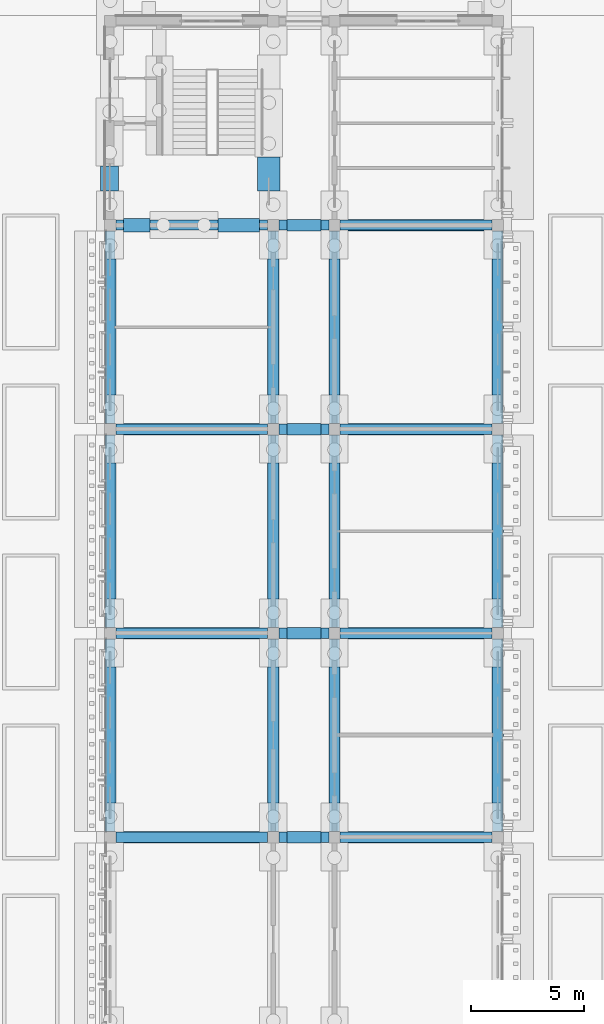
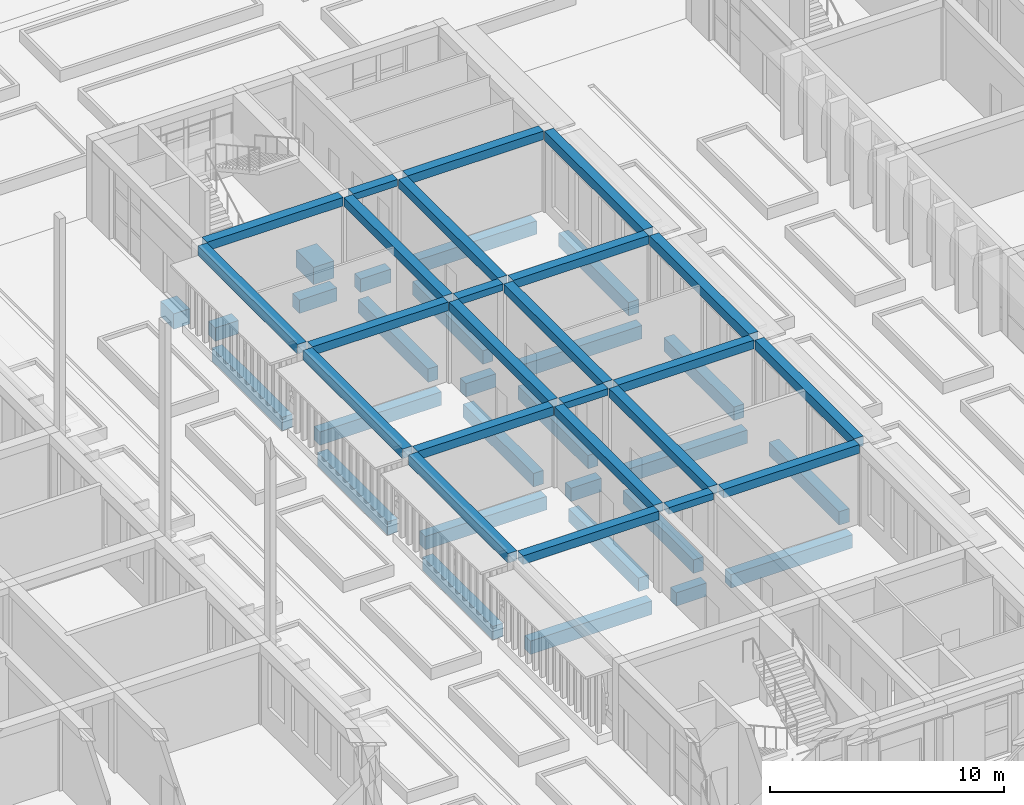
# One storey, part 35 of 161: 51 beams.
"""IFC4 building model written with IfcOpenShell, lengths in metres."""

from ifc_helpers import new_model, si_unit, direction, frame, origin, origin_2d, place, context, subcontext, project, spatial, rectangle, extrude, material, material_profile, profile_set, type_object, element, save


model = new_model("IFC4")

# Units and contexts
model_context = context("Model", 3, precision=1e-05, world=origin(), true_north=direction((0.0, 1.0)))
body_context = subcontext(model_context, "Body", "Model", "MODEL_VIEW")
ifc_project = project(units=[si_unit("LENGTHUNIT", "METRE"), si_unit("AREAUNIT", "SQUARE_METRE"), si_unit("VOLUMEUNIT", "CUBIC_METRE"), si_unit("PLANEANGLEUNIT", "RADIAN"), si_unit("MASSUNIT", "GRAM", prefix="KILO")], contexts=[model_context])

# Site, building, storey
site_placement = place(None, origin())
site = spatial("IfcSite", under=ifc_project, at=site_placement, CompositionType="ELEMENT")
building_placement = place(site_placement, origin())
building = spatial("IfcBuilding", under=site, at=building_placement, Name="Elbe Cascade School", CompositionType="ELEMENT")
storey_placement = place(building_placement, origin())
storey = spatial("IfcBuildingStorey", under=building, at=storey_placement, Name="L00", CompositionType="ELEMENT", Elevation=0.0)

# Beams
ifc_material_1 = material(Name="Concrete C30/37", Category="concrete")
ifc_material_profile_1 = material_profile(ifc_material_1, rectangle(XDim=1.0, YDim=0.89990234375, at=origin_2d()), Name="RC 1000x900")
ifc_profile_set_1 = profile_set([ifc_material_profile_1], Name="Concrete C30/37")
beam_type_1 = type_object("IfcBeamType", Name="Found ground beam RC 1000x900", PredefinedType="BEAM", material=ifc_profile_set_1)
beam_1_placement = place(storey_placement, frame((135.199951171875, 52.5, -0.75), z_axis=(0.0, 1.0, 0.0), x_axis=(-1.0, 0.0, 0.0)))
element("IfcBeam", 1, at=beam_1_placement, inside=storey, type_object=beam_type_1, Name="Ground beam 044", PredefinedType="BEAM", context=body_context, shape_type="SweptSolid", body=[
    extrude(rectangle(XDim=1.0, YDim=0.89990234375, at=origin_2d()), origin(), (0.0, 0.0, 1.0), 1.5),
])
ifc_material_2 = material(Name="Concrete C30/37", Category="concrete")
ifc_material_profile_2 = material_profile(ifc_material_2, rectangle(XDim=0.5, YDim=0.699951171875, at=origin_2d()), Name="RC 500x700")
ifc_profile_set_2 = profile_set([ifc_material_profile_2], Name="Concrete C30/37")
beam_type_2 = type_object("IfcBeamType", Name="Found ground beam RC 500x700", PredefinedType="BEAM", material=ifc_profile_set_2)
beam_2_placement = place(storey_placement, frame((128.800048828125, 24.0, -0.64990234375), z_axis=(1.0, 0.0, 0.0), x_axis=(0.0, 1.0, 0.0)))
element("IfcBeam", 2, at=beam_2_placement, inside=storey, type_object=beam_type_2, Name="Ground beam 255", PredefinedType="BEAM", context=body_context, shape_type="SweptSolid", body=[
    extrude(rectangle(XDim=0.5, YDim=0.699951171875, at=origin_2d()), origin(), (0.0, 0.0, 1.0), 6.0),
])
beam_3_placement = place(storey_placement, frame((136.0, 24.0, -0.64990234375), z_axis=(1.0, 0.0, 0.0), x_axis=(0.0, 1.0, 0.0)))
element("IfcBeam", 3, at=beam_3_placement, inside=storey, type_object=beam_type_2, Name="Ground beam 256", PredefinedType="BEAM", context=body_context, shape_type="SweptSolid", body=[
    extrude(rectangle(XDim=0.5, YDim=0.699951171875, at=origin_2d()), origin(), (0.0, 0.0, 1.0), 1.5),
])
for number, where, z_axis, x_axis, name in (
    (4, (138.699951171875, 24.0, -0.64990234375), (1.0, 0.0, 0.0), (0.0, 1.0, 0.0), "Ground beam 257"),
    (5, (128.800048828125, 33.0, -0.64990234375), (1.0, 0.0, 0.0), (0.0, 1.0, 0.0), "Ground beam 258"),
):
    element("IfcBeam", number, at=place(storey_placement, frame(where, z_axis=z_axis, x_axis=x_axis)), inside=storey, type_object=beam_type_2, Name=name, PredefinedType="BEAM", context=body_context, shape_type="SweptSolid", body=[
        extrude(rectangle(XDim=0.5, YDim=0.699951171875, at=origin_2d()), origin(), (0.0, 0.0, 1.0), 6.0),
    ])
beam_4_placement = place(storey_placement, frame((136.0, 33.0, -0.64990234375), z_axis=(1.0, 0.0, 0.0), x_axis=(0.0, 1.0, 0.0)))
element("IfcBeam", 6, at=beam_4_placement, inside=storey, type_object=beam_type_2, Name="Ground beam 259", PredefinedType="BEAM", context=body_context, shape_type="SweptSolid", body=[
    extrude(rectangle(XDim=0.5, YDim=0.699951171875, at=origin_2d()), origin(), (0.0, 0.0, 1.0), 1.5),
])
for number, where, z_axis, x_axis, name in (
    (7, (138.699951171875, 33.0, -0.64990234375), (1.0, 0.0, 0.0), (0.0, 1.0, 0.0), "Ground beam 260"),
    (8, (128.800048828125, 42.0, -0.64990234375), (1.0, 0.0, 0.0), (0.0, 1.0, 0.0), "Ground beam 261"),
):
    element("IfcBeam", number, at=place(storey_placement, frame(where, z_axis=z_axis, x_axis=x_axis)), inside=storey, type_object=beam_type_2, Name=name, PredefinedType="BEAM", context=body_context, shape_type="SweptSolid", body=[
        extrude(rectangle(XDim=0.5, YDim=0.699951171875, at=origin_2d()), origin(), (0.0, 0.0, 1.0), 6.0),
    ])
beam_5_placement = place(storey_placement, frame((136.0, 42.0, -0.64990234375), z_axis=(1.0, 0.0, 0.0), x_axis=(0.0, 1.0, 0.0)))
element("IfcBeam", 9, at=beam_5_placement, inside=storey, type_object=beam_type_2, Name="Ground beam 262", PredefinedType="BEAM", context=body_context, shape_type="SweptSolid", body=[
    extrude(rectangle(XDim=0.5, YDim=0.699951171875, at=origin_2d()), origin(), (0.0, 0.0, 1.0), 1.5),
])
beam_6_placement = place(storey_placement, frame((138.699951171875, 42.0, -0.64990234375), z_axis=(1.0, 0.0, 0.0), x_axis=(0.0, 1.0, 0.0)))
element("IfcBeam", 10, at=beam_6_placement, inside=storey, type_object=beam_type_2, Name="Ground beam 263", PredefinedType="BEAM", context=body_context, shape_type="SweptSolid", body=[
    extrude(rectangle(XDim=0.5, YDim=0.699951171875, at=origin_2d()), origin(), (0.0, 0.0, 1.0), 6.0),
])
beam_7_placement = place(storey_placement, frame((136.0, 51.0, -0.64990234375), z_axis=(1.0, 0.0, 0.0), x_axis=(0.0, 1.0, 0.0)))
element("IfcBeam", 11, at=beam_7_placement, inside=storey, type_object=beam_type_2, Name="Ground beam 264", PredefinedType="BEAM", context=body_context, shape_type="SweptSolid", body=[
    extrude(rectangle(XDim=0.5, YDim=0.699951171875, at=origin_2d()), origin(), (0.0, 0.0, 1.0), 1.5),
])
for number, where, z_axis, x_axis, name in (
    (12, (138.699951171875, 51.0, -0.64990234375), (1.0, 0.0, 0.0), (0.0, 1.0, 0.0), "Ground beam 265"),
    (13, (128.199951171875, 25.5, -0.64990234375), (0.0, 1.0, 0.0), (-1.0, 0.0, 0.0), "Ground beam 267"),
    (14, (128.199951171875, 34.5, -0.64990234375), (0.0, 1.0, 0.0), (-1.0, 0.0, 0.0), "Ground beam 268"),
    (15, (128.199951171875, 43.5, -0.64990234375), (0.0, 1.0, 0.0), (-1.0, 0.0, 0.0), "Ground beam 269"),
    (16, (135.39990234375, 25.5, -0.64990234375), (0.0, 1.0, 0.0), (-1.0, 0.0, 0.0), "Ground beam 271"),
    (17, (135.39990234375, 34.5, -0.64990234375), (0.0, 1.0, 0.0), (-1.0, 0.0, 0.0), "Ground beam 272"),
    (18, (135.39990234375, 43.5, -0.64990234375), (0.0, 1.0, 0.0), (-1.0, 0.0, 0.0), "Ground beam 273"),
    (19, (138.10009765625, 25.5, -0.64990234375), (0.0, 1.0, 0.0), (-1.0, 0.0, 0.0), "Ground beam 276"),
    (20, (138.10009765625, 34.5, -0.64990234375), (0.0, 1.0, 0.0), (-1.0, 0.0, 0.0), "Ground beam 277"),
    (21, (138.10009765625, 43.5, -0.64990234375), (0.0, 1.0, 0.0), (-1.0, 0.0, 0.0), "Ground beam 278"),
    (22, (145.300048828125, 25.5, -0.64990234375), (0.0, 1.0, 0.0), (-1.0, 0.0, 0.0), "Ground beam 282"),
    (23, (145.300048828125, 34.5, -0.64990234375), (0.0, 1.0, 0.0), (-1.0, 0.0, 0.0), "Ground beam 283"),
    (24, (145.300048828125, 43.5, -0.64990234375), (0.0, 1.0, 0.0), (-1.0, 0.0, 0.0), "Ground beam 284"),
):
    element("IfcBeam", number, at=place(storey_placement, frame(where, z_axis=z_axis, x_axis=x_axis)), inside=storey, type_object=beam_type_2, Name=name, PredefinedType="BEAM", context=body_context, shape_type="SweptSolid", body=[
        extrude(rectangle(XDim=0.5, YDim=0.699951171875, at=origin_2d()), origin(), (0.0, 0.0, 1.0), 6.0),
    ])
ifc_material_3 = material(Name="Concrete C30/37", Category="concrete")
ifc_material_profile_3 = material_profile(ifc_material_3, rectangle(XDim=0.60009765625, YDim=0.699951171875, at=origin_2d()), Name="RC 600x700")
ifc_profile_set_3 = profile_set([ifc_material_profile_3], Name="Concrete C30/37")
beam_type_3 = type_object("IfcBeamType", Name="Found ground beam RC 600x700", PredefinedType="BEAM", material=ifc_profile_set_3)
beam_8_placement = place(storey_placement, frame((128.800048828125, 51.0, -0.64990234375), z_axis=(1.0, 0.0, 0.0), x_axis=(0.0, 1.0, 0.0)))
element("IfcBeam", 25, at=beam_8_placement, inside=storey, type_object=beam_type_3, Name="Ground beam 142", PredefinedType="BEAM", context=body_context, shape_type="SweptSolid", body=[
    extrude(rectangle(XDim=0.60009765625, YDim=0.699951171875, at=origin_2d()), origin(), (0.0, 0.0, 1.0), 1.14990234375),
])
beam_9_placement = place(storey_placement, frame((132.949951171875, 51.0, -0.64990234375), z_axis=(1.0, 0.0, 0.0), x_axis=(0.0, 1.0, 0.0)))
element("IfcBeam", 26, at=beam_9_placement, inside=storey, type_object=beam_type_3, Name="Ground beam 143", PredefinedType="BEAM", context=body_context, shape_type="SweptSolid", body=[
    extrude(rectangle(XDim=0.60009765625, YDim=0.699951171875, at=origin_2d()), origin(), (0.0, 0.0, 1.0), 1.85009765625),
])
ifc_material_4 = material(Name="Concrete C30/37", Category="concrete")
ifc_material_profile_4 = material_profile(ifc_material_4, rectangle(XDim=0.800048828125, YDim=0.800048828125, at=origin_2d()), Name="RC 800x800")
ifc_profile_set_4 = profile_set([ifc_material_profile_4], Name="Concrete C30/37")
beam_type_4 = type_object("IfcBeamType", Name="Found ground beam RC 800x800", PredefinedType="BEAM", material=ifc_profile_set_4)
beam_10_placement = place(storey_placement, frame((128.179931640625, 52.5, -0.699951171875), z_axis=(0.0, 1.0, 0.0), x_axis=(-1.0, 0.0, 0.0)))
element("IfcBeam", 27, at=beam_10_placement, inside=storey, type_object=beam_type_4, Name="Ground beam 070", PredefinedType="BEAM", context=body_context, shape_type="SweptSolid", body=[
    extrude(rectangle(XDim=0.800048828125, YDim=0.800048828125, at=origin_2d()), origin(), (0.0, 0.0, 1.0), 1.110107421875),
])
ifc_material_5 = material(Name="Concrete C30/37", Category="concrete")
ifc_material_profile_5 = material_profile(ifc_material_5, rectangle(XDim=0.449951171875, YDim=0.35009765625, at=origin_2d()), Name="RC 450x350")
ifc_profile_set_5 = profile_set([ifc_material_profile_5], Name="Concrete C30/37")
beam_type_5 = type_object("IfcBeamType", Name="RC 450x350 beam", PredefinedType="BEAM", material=ifc_profile_set_5)
for number, where, z_axis, x_axis, name in (
    (28, (135.64990234375, 24.0, 4.074951171875), (1.0, 0.0, 0.0), (0.0, 1.0, 0.0), "RC 450x350 beam B11"),
    (29, (135.64990234375, 33.0, 4.074951171875), (1.0, 0.0, 0.0), (0.0, 1.0, 0.0), "RC 450x350 beam B11"),
    (30, (135.64990234375, 42.0, 4.074951171875), (1.0, 0.0, 0.0), (0.0, 1.0, 0.0), "RC 450x350 beam B11"),
    (31, (135.64990234375, 51.0, 4.074951171875), (1.0, 0.0, 0.0), (0.0, 1.0, 0.0), "RC 450x350 beam B11"),
):
    element("IfcBeam", number, at=place(storey_placement, frame(where, z_axis=z_axis, x_axis=x_axis)), inside=storey, type_object=beam_type_5, Name=name, PredefinedType="BEAM", context=body_context, shape_type="SweptSolid", body=[
        extrude(rectangle(XDim=0.449951171875, YDim=0.35009765625, at=origin_2d()), origin(), (0.0, 0.0, 1.0), 2.2001953125),
    ])
ifc_material_6 = material(Name="Concrete C30/37", Category="concrete")
ifc_material_profile_6 = material_profile(ifc_material_6, rectangle(XDim=0.449951171875, YDim=0.449951171875, at=origin_2d()), Name="RC 450x450")
ifc_profile_set_6 = profile_set([ifc_material_profile_6], Name="Concrete C30/37")
beam_type_6 = type_object("IfcBeamType", Name="RC 450x450 beam", PredefinedType="BEAM", material=ifc_profile_set_6)
for number, where, z_axis, x_axis, name in (
    (32, (135.39990234375, 24.25, 4.02490234375), (0.0, 1.0, 0.0), (-1.0, 0.0, 0.0), "RC 450x450 beam B10"),
    (33, (135.39990234375, 33.25, 4.02490234375), (0.0, 1.0, 0.0), (-1.0, 0.0, 0.0), "RC 450x450 beam B10"),
    (34, (135.39990234375, 42.25, 4.02490234375), (0.0, 1.0, 0.0), (-1.0, 0.0, 0.0), "RC 450x450 beam B10"),
    (35, (138.10009765625, 24.25, 4.02490234375), (0.0, 1.0, 0.0), (-1.0, 0.0, 0.0), "RC 450x450 beam B10"),
    (36, (138.10009765625, 33.25, 4.02490234375), (0.0, 1.0, 0.0), (-1.0, 0.0, 0.0), "RC 450x450 beam B10"),
    (37, (138.10009765625, 42.25, 4.02490234375), (0.0, 1.0, 0.0), (-1.0, 0.0, 0.0), "RC 450x450 beam B10"),
):
    element("IfcBeam", number, at=place(storey_placement, frame(where, z_axis=z_axis, x_axis=x_axis)), inside=storey, type_object=beam_type_6, Name=name, PredefinedType="BEAM", context=body_context, shape_type="SweptSolid", body=[
        extrude(rectangle(XDim=0.449951171875, YDim=0.449951171875, at=origin_2d()), origin(), (0.0, 0.0, 1.0), 8.5),
    ])
for number, where, z_axis, x_axis, name in (
    (38, (128.449951171875, 24.0, 4.02490234375), (1.0, 0.0, 0.0), (0.0, 1.0, 0.0), "RC 450x450 beam B10"),
    (39, (138.35009765625, 24.0, 4.02490234375), (1.0, 0.0, 0.0), (0.0, 1.0, 0.0), "RC 450x450 beam B10"),
    (40, (128.449951171875, 33.0, 4.02490234375), (1.0, 0.0, 0.0), (0.0, 1.0, 0.0), "RC 450x450 beam B10"),
    (41, (138.35009765625, 33.0, 4.02490234375), (1.0, 0.0, 0.0), (0.0, 1.0, 0.0), "RC 450x450 beam B10"),
    (42, (128.449951171875, 42.0, 4.02490234375), (1.0, 0.0, 0.0), (0.0, 1.0, 0.0), "RC 450x450 beam B10"),
    (43, (138.35009765625, 42.0, 4.02490234375), (1.0, 0.0, 0.0), (0.0, 1.0, 0.0), "RC 450x450 beam B10"),
    (44, (128.449951171875, 51.0, 4.02490234375), (1.0, 0.0, 0.0), (0.0, 1.0, 0.0), "RC 450x450 beam B10"),
    (45, (138.35009765625, 51.0, 4.02490234375), (1.0, 0.0, 0.0), (0.0, 1.0, 0.0), "RC 450x450 beam B10"),
):
    element("IfcBeam", number, at=place(storey_placement, frame(where, z_axis=z_axis, x_axis=x_axis)), inside=storey, type_object=beam_type_6, Name=name, PredefinedType="BEAM", context=body_context, shape_type="SweptSolid", body=[
        extrude(rectangle(XDim=0.449951171875, YDim=0.449951171875, at=origin_2d()), origin(), (0.0, 0.0, 1.0), 6.699951171875),
    ])
ifc_material_7 = material(Name="Concrete C30/37", Category="concrete")
ifc_material_profile_7 = material_profile(ifc_material_7, rectangle(XDim=0.449951171875, YDim=0.5, at=origin_2d()), Name="RC 450x500")
ifc_profile_set_7 = profile_set([ifc_material_profile_7], Name="Concrete C30/37")
beam_type_7 = type_object("IfcBeamType", Name="RC 450x500 beam", PredefinedType="BEAM", material=ifc_profile_set_7)
for number, where, z_axis, x_axis, name in (
    (46, (128.199951171875, 24.25, 4.0), (0.0, 1.0, 0.0), (-1.0, 0.0, 0.0), "RC 450x500 beam B9"),
    (47, (128.199951171875, 33.25, 4.0), (0.0, 1.0, 0.0), (-1.0, 0.0, 0.0), "RC 450x500 beam B9"),
    (48, (128.199951171875, 42.25, 4.0), (0.0, 1.0, 0.0), (-1.0, 0.0, 0.0), "RC 450x500 beam B9"),
    (49, (145.300048828125, 24.25, 4.0), (0.0, 1.0, 0.0), (-1.0, 0.0, 0.0), "RC 450x500 beam B9"),
    (50, (145.300048828125, 33.25, 4.0), (0.0, 1.0, 0.0), (-1.0, 0.0, 0.0), "RC 450x500 beam B9"),
    (51, (145.300048828125, 42.25, 4.0), (0.0, 1.0, 0.0), (-1.0, 0.0, 0.0), "RC 450x500 beam B9"),
):
    element("IfcBeam", number, at=place(storey_placement, frame(where, z_axis=z_axis, x_axis=x_axis)), inside=storey, type_object=beam_type_7, Name=name, PredefinedType="BEAM", context=body_context, shape_type="SweptSolid", body=[
        extrude(rectangle(XDim=0.449951171875, YDim=0.5, at=origin_2d()), origin(), (0.0, 0.0, 1.0), 8.5),
    ])

save(model, "model.ifc")
